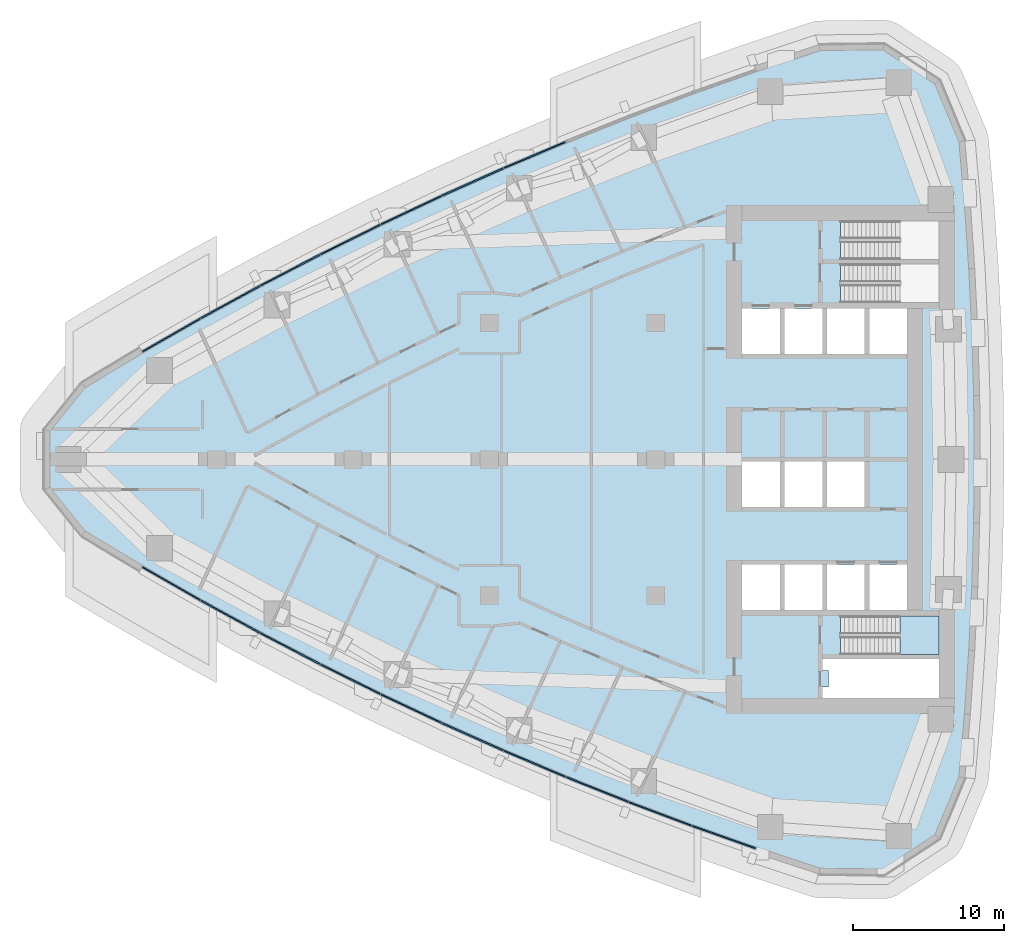
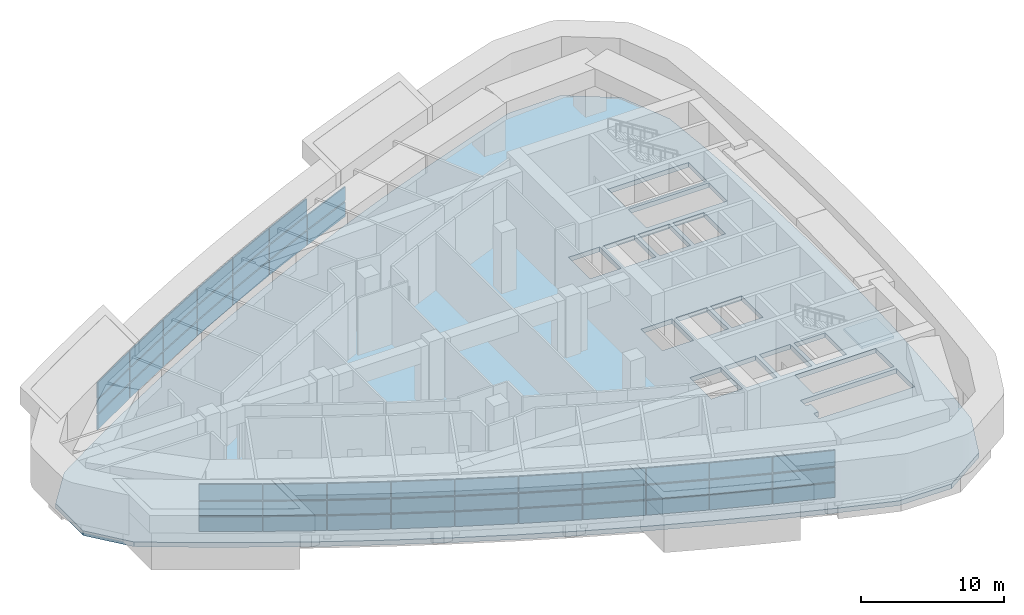
# One storey, part 9 of 19: 50 plates, 2 slabs, 1 opening, 10 elements without a shape of their own.
"""IFC4 building model written with IfcOpenShell, lengths in metres."""

from ifc_helpers import new_model, si_unit, direction, frame, origin, origin_2d, place, context, subcontext, project, spatial, polyline, rectangle, outline, extrude, material, layer, layer_set, type_object, element, aggregate, save


model = new_model("IFC4")

# Units and contexts
model_context = context("Model", 3, precision=1e-05, world=origin(), true_north=direction((0.0, 1.0)))
body_context = subcontext(model_context, "Body", "Model", "MODEL_VIEW")
ifc_project = project(units=[si_unit("LENGTHUNIT", "METRE"), si_unit("AREAUNIT", "SQUARE_METRE"), si_unit("VOLUMEUNIT", "CUBIC_METRE"), si_unit("PLANEANGLEUNIT", "RADIAN"), si_unit("MASSUNIT", "GRAM", prefix="KILO")], contexts=[model_context])

# Site, building, storey
site_placement = place(None, origin())
site = spatial("IfcSite", under=ifc_project, at=site_placement, CompositionType="ELEMENT")
building_placement = place(site_placement, origin())
building = spatial("IfcBuilding", under=site, at=building_placement, Name="Ostrand Prow Hotel Tower", CompositionType="ELEMENT")
storey_placement = place(building_placement, frame((0.0, 0.0, 120.39990234375)))
storey = spatial("IfcBuildingStorey", under=building, at=storey_placement, Name="L29", CompositionType="ELEMENT", Elevation=120.39990234375)

# Curtain wall, plates
ifc_material_1 = material(Name="Insulated glass in bronze anodised frame", Category="glass")
ifc_layer_1 = layer(ifc_material_1, 0.199951171875)
ifc_layer_set_1 = layer_set([ifc_layer_1], Name="Insulated glass in bronze anodised frame")
curtain_wall_type = type_object("IfcCurtainWallType", Name="Plant storey louvre wall", PredefinedType="NOTDEFINED", material=ifc_layer_set_1)
curtain_wall_1_placement = place(storey_placement, origin())
curtain_wall_1 = element("IfcCurtainWall", 1, at=curtain_wall_1_placement, inside=storey, type_object=curtain_wall_type, Name="CW7 run CWS1", PredefinedType="NOTDEFINED")
ifc_material_2 = material(Name="Bronze anodised aluminium louvre", Category="aluminium")
ifc_layer_2 = layer(ifc_material_2, 0.10009765625)
ifc_layer_set_2 = layer_set([ifc_layer_2], Name="Bronze anodised aluminium louvre")
plate_type = type_object("IfcPlateType", Name="Bronze louvre panel 100 mm", PredefinedType="CURTAIN_PANEL", material=ifc_layer_set_2)
plate_1_placement = place(storey_placement, frame((13.013916015625, -8.2099609375, 0.89990234375), z_axis=(0.0, 0.0, 1.0), x_axis=(0.867684775301, -0.497114806368, 0.0)))
plate_1 = element("IfcPlate", 2, at=plate_1_placement, type_object=plate_type, Name="CW7 PN-V panel 1.1", PredefinedType="CURTAIN_PANEL", context=body_context, shape_type="SweptSolid", body=[
    extrude(rectangle(XDim=4.406005859375, YDim=0.10009765625, at=origin_2d()), origin(), (0.0, 0.0, 1.0), 1.239990234375),
])
plate_2_placement = place(storey_placement, frame((13.013916015625, -8.2099609375, 2.26025390625), z_axis=(0.0, 0.0, 1.0), x_axis=(0.867684775301, -0.497114806368, 0.0)))
plate_2 = element("IfcPlate", 3, at=plate_2_placement, type_object=plate_type, Name="CW7 PN-V panel 1.2", PredefinedType="CURTAIN_PANEL", context=body_context, shape_type="SweptSolid", body=[
    extrude(rectangle(XDim=4.406005859375, YDim=0.10009765625, at=origin_2d()), origin(), (0.0, 0.0, 1.0), 1.179931640625),
])
plate_3_placement = place(storey_placement, frame((13.013916015625, -8.2099609375, 3.56005859375), z_axis=(0.0, 0.0, 1.0), x_axis=(0.867684775301, -0.497114806368, 0.0)))
plate_3 = element("IfcPlate", 4, at=plate_3_placement, type_object=plate_type, Name="CW7 PN-V panel 1.3", PredefinedType="CURTAIN_PANEL", context=body_context, shape_type="SweptSolid", body=[
    extrude(rectangle(XDim=4.406005859375, YDim=0.10009765625, at=origin_2d()), origin(), (0.0, 0.0, 1.0), 1.340087890625),
])
plate_4_placement = place(storey_placement, frame((16.910888671875, -10.39111328125, 0.89990234375), z_axis=(0.0, 0.0, 1.0), x_axis=(0.877466978439, -0.479637052103, 0.0)))
plate_4 = element("IfcPlate", 5, at=plate_4_placement, type_object=plate_type, Name="CW7 PN-V panel 2.1", PredefinedType="CURTAIN_PANEL", context=body_context, shape_type="SweptSolid", body=[
    extrude(rectangle(XDim=4.406005859375, YDim=0.10009765625, at=origin_2d()), origin(), (0.0, 0.0, 1.0), 1.239990234375),
])
plate_5_placement = place(storey_placement, frame((16.910888671875, -10.39111328125, 2.26025390625), z_axis=(0.0, 0.0, 1.0), x_axis=(0.877466978439, -0.479637052103, 0.0)))
plate_5 = element("IfcPlate", 6, at=plate_5_placement, type_object=plate_type, Name="CW7 PN-V panel 2.2", PredefinedType="CURTAIN_PANEL", context=body_context, shape_type="SweptSolid", body=[
    extrude(rectangle(XDim=4.406005859375, YDim=0.10009765625, at=origin_2d()), origin(), (0.0, 0.0, 1.0), 1.179931640625),
])
plate_6_placement = place(storey_placement, frame((16.910888671875, -10.39111328125, 3.56005859375), z_axis=(0.0, 0.0, 1.0), x_axis=(0.877466978439, -0.479637052103, 0.0)))
plate_6 = element("IfcPlate", 7, at=plate_6_placement, type_object=plate_type, Name="CW7 PN-V panel 2.3", PredefinedType="CURTAIN_PANEL", context=body_context, shape_type="SweptSolid", body=[
    extrude(rectangle(XDim=4.406005859375, YDim=0.10009765625, at=origin_2d()), origin(), (0.0, 0.0, 1.0), 1.340087890625),
])
aggregate(curtain_wall_1, [plate_1, plate_2, plate_3, plate_4, plate_5, plate_6])

curtain_wall_2_placement = place(storey_placement, origin())
curtain_wall_2 = element("IfcCurtainWall", 8, at=curtain_wall_2_placement, inside=storey, type_object=curtain_wall_type, Name="CW7 run CWS2", PredefinedType="NOTDEFINED")
plate_7_placement = place(storey_placement, frame((20.8505859375, -12.49365234375, 0.89990234375), z_axis=(0.0, 0.0, 1.0), x_axis=(0.886896367661, -0.461968432937, 0.0)))
plate_7 = element("IfcPlate", 9, at=plate_7_placement, type_object=plate_type, Name="CW7 PN-V panel 1.1", PredefinedType="CURTAIN_PANEL", context=body_context, shape_type="SweptSolid", body=[
    extrude(rectangle(XDim=4.406005859375, YDim=0.10009765625, at=origin_2d()), origin(), (0.0, 0.0, 1.0), 1.239990234375),
])
plate_8_placement = place(storey_placement, frame((20.8505859375, -12.49365234375, 2.26025390625), z_axis=(0.0, 0.0, 1.0), x_axis=(0.886896367661, -0.461968432937, 0.0)))
plate_8 = element("IfcPlate", 10, at=plate_8_placement, type_object=plate_type, Name="CW7 PN-V panel 1.2", PredefinedType="CURTAIN_PANEL", context=body_context, shape_type="SweptSolid", body=[
    extrude(rectangle(XDim=4.406005859375, YDim=0.10009765625, at=origin_2d()), origin(), (0.0, 0.0, 1.0), 1.179931640625),
])
plate_9_placement = place(storey_placement, frame((20.8505859375, -12.49365234375, 3.56005859375), z_axis=(0.0, 0.0, 1.0), x_axis=(0.886896367661, -0.461968432937, 0.0)))
plate_9 = element("IfcPlate", 11, at=plate_9_placement, type_object=plate_type, Name="CW7 PN-V panel 1.3", PredefinedType="CURTAIN_PANEL", context=body_context, shape_type="SweptSolid", body=[
    extrude(rectangle(XDim=4.406005859375, YDim=0.10009765625, at=origin_2d()), origin(), (0.0, 0.0, 1.0), 1.340087890625),
])
plate_10_placement = place(storey_placement, frame((24.831787109375, -14.516845703125, 0.89990234375), z_axis=(0.0, 0.0, 1.0), x_axis=(0.895970803653, -0.44411295748, 0.0)))
plate_10 = element("IfcPlate", 12, at=plate_10_placement, type_object=plate_type, Name="CW7 PN-V panel 2.1", PredefinedType="CURTAIN_PANEL", context=body_context, shape_type="SweptSolid", body=[
    extrude(rectangle(XDim=4.406005859375, YDim=0.10009765625, at=origin_2d()), origin(), (0.0, 0.0, 1.0), 1.239990234375),
])
plate_11_placement = place(storey_placement, frame((24.831787109375, -14.516845703125, 2.26025390625), z_axis=(0.0, 0.0, 1.0), x_axis=(0.895970803653, -0.44411295748, 0.0)))
plate_11 = element("IfcPlate", 13, at=plate_11_placement, type_object=plate_type, Name="CW7 PN-V panel 2.2", PredefinedType="CURTAIN_PANEL", context=body_context, shape_type="SweptSolid", body=[
    extrude(rectangle(XDim=4.406005859375, YDim=0.10009765625, at=origin_2d()), origin(), (0.0, 0.0, 1.0), 1.179931640625),
])
plate_12_placement = place(storey_placement, frame((24.831787109375, -14.516845703125, 3.56005859375), z_axis=(0.0, 0.0, 1.0), x_axis=(0.895970803653, -0.44411295748, 0.0)))
plate_12 = element("IfcPlate", 14, at=plate_12_placement, type_object=plate_type, Name="CW7 PN-V panel 2.3", PredefinedType="CURTAIN_PANEL", context=body_context, shape_type="SweptSolid", body=[
    extrude(rectangle(XDim=4.406005859375, YDim=0.10009765625, at=origin_2d()), origin(), (0.0, 0.0, 1.0), 1.340087890625),
])
aggregate(curtain_wall_2, [plate_7, plate_8, plate_9, plate_10, plate_11, plate_12])

curtain_wall_3_placement = place(storey_placement, origin())
curtain_wall_3 = element("IfcCurtainWall", 15, at=curtain_wall_3_placement, inside=storey, type_object=curtain_wall_type, Name="CW7 run CWS3", PredefinedType="NOTDEFINED")
plate_13_placement = place(storey_placement, frame((28.852783203125, -16.4599609375, 0.89990234375), z_axis=(0.0, 0.0, 1.0), x_axis=(0.904685808958, -0.426079320162, 0.0)))
plate_13 = element("IfcPlate", 16, at=plate_13_placement, type_object=plate_type, Name="CW7 PN-V panel 1.1", PredefinedType="CURTAIN_PANEL", context=body_context, shape_type="SweptSolid", body=[
    extrude(rectangle(XDim=4.406005859375, YDim=0.10009765625, at=origin_2d()), origin(), (0.0, 0.0, 1.0), 1.239990234375),
])
plate_14_placement = place(storey_placement, frame((28.852783203125, -16.4599609375, 2.26025390625), z_axis=(0.0, 0.0, 1.0), x_axis=(0.904685808958, -0.426079320162, 0.0)))
plate_14 = element("IfcPlate", 17, at=plate_14_placement, type_object=plate_type, Name="CW7 PN-V panel 1.2", PredefinedType="CURTAIN_PANEL", context=body_context, shape_type="SweptSolid", body=[
    extrude(rectangle(XDim=4.406005859375, YDim=0.10009765625, at=origin_2d()), origin(), (0.0, 0.0, 1.0), 1.179931640625),
])
plate_15_placement = place(storey_placement, frame((28.852783203125, -16.4599609375, 3.56005859375), z_axis=(0.0, 0.0, 1.0), x_axis=(0.904685808958, -0.426079320162, 0.0)))
plate_15 = element("IfcPlate", 18, at=plate_15_placement, type_object=plate_type, Name="CW7 PN-V panel 1.3", PredefinedType="CURTAIN_PANEL", context=body_context, shape_type="SweptSolid", body=[
    extrude(rectangle(XDim=4.406005859375, YDim=0.10009765625, at=origin_2d()), origin(), (0.0, 0.0, 1.0), 1.340087890625),
])
plate_16_placement = place(storey_placement, frame((32.911865234375, -18.322265625, 0.89990234375), z_axis=(0.0, 0.0, 1.0), x_axis=(0.913037887435, -0.407874755419, 0.0)))
plate_16 = element("IfcPlate", 19, at=plate_16_placement, type_object=plate_type, Name="CW7 PN-V panel 2.1", PredefinedType="CURTAIN_PANEL", context=body_context, shape_type="SweptSolid", body=[
    extrude(rectangle(XDim=4.406005859375, YDim=0.10009765625, at=origin_2d()), origin(), (0.0, 0.0, 1.0), 1.239990234375),
])
plate_17_placement = place(storey_placement, frame((32.911865234375, -18.322265625, 2.26025390625), z_axis=(0.0, 0.0, 1.0), x_axis=(0.913037887435, -0.407874755419, 0.0)))
plate_17 = element("IfcPlate", 20, at=plate_17_placement, type_object=plate_type, Name="CW7 PN-V panel 2.2", PredefinedType="CURTAIN_PANEL", context=body_context, shape_type="SweptSolid", body=[
    extrude(rectangle(XDim=4.406005859375, YDim=0.10009765625, at=origin_2d()), origin(), (0.0, 0.0, 1.0), 1.179931640625),
])
plate_18_placement = place(storey_placement, frame((32.911865234375, -18.322265625, 3.56005859375), z_axis=(0.0, 0.0, 1.0), x_axis=(0.913037887435, -0.407874755419, 0.0)))
plate_18 = element("IfcPlate", 21, at=plate_18_placement, type_object=plate_type, Name="CW7 PN-V panel 2.3", PredefinedType="CURTAIN_PANEL", context=body_context, shape_type="SweptSolid", body=[
    extrude(rectangle(XDim=4.406005859375, YDim=0.10009765625, at=origin_2d()), origin(), (0.0, 0.0, 1.0), 1.340087890625),
])
aggregate(curtain_wall_3, [plate_13, plate_14, plate_15, plate_16, plate_17, plate_18])

curtain_wall_4_placement = place(storey_placement, origin())
curtain_wall_4 = element("IfcCurtainWall", 22, at=curtain_wall_4_placement, inside=storey, type_object=curtain_wall_type, Name="CW7 run CWS4", PredefinedType="NOTDEFINED")
plate_19_placement = place(storey_placement, frame((37.007080078125, -20.102783203125, 0.89990234375), z_axis=(0.0, 0.0, 1.0), x_axis=(0.921023688536, -0.389506566255, 0.0)))
plate_19 = element("IfcPlate", 23, at=plate_19_placement, type_object=plate_type, Name="CW7 PN-V panel 1.1", PredefinedType="CURTAIN_PANEL", context=body_context, shape_type="SweptSolid", body=[
    extrude(rectangle(XDim=4.406005859375, YDim=0.10009765625, at=origin_2d()), origin(), (0.0, 0.0, 1.0), 1.239990234375),
])
plate_20_placement = place(storey_placement, frame((37.007080078125, -20.102783203125, 2.26025390625), z_axis=(0.0, 0.0, 1.0), x_axis=(0.921023688536, -0.389506566255, 0.0)))
plate_20 = element("IfcPlate", 24, at=plate_20_placement, type_object=plate_type, Name="CW7 PN-V panel 1.2", PredefinedType="CURTAIN_PANEL", context=body_context, shape_type="SweptSolid", body=[
    extrude(rectangle(XDim=4.406005859375, YDim=0.10009765625, at=origin_2d()), origin(), (0.0, 0.0, 1.0), 1.179931640625),
])
plate_21_placement = place(storey_placement, frame((37.007080078125, -20.102783203125, 3.56005859375), z_axis=(0.0, 0.0, 1.0), x_axis=(0.921023688536, -0.389506566255, 0.0)))
plate_21 = element("IfcPlate", 25, at=plate_21_placement, type_object=plate_type, Name="CW7 PN-V panel 1.3", PredefinedType="CURTAIN_PANEL", context=body_context, shape_type="SweptSolid", body=[
    extrude(rectangle(XDim=4.406005859375, YDim=0.10009765625, at=origin_2d()), origin(), (0.0, 0.0, 1.0), 1.340087890625),
])
plate_22_placement = place(storey_placement, frame((41.137451171875, -21.801025390625, 0.89990234375), z_axis=(0.0, 0.0, 1.0), x_axis=(0.928640008649, -0.370982121315, 0.0)))
plate_22 = element("IfcPlate", 26, at=plate_22_placement, type_object=plate_type, Name="CW7 PN-V panel 2.1", PredefinedType="CURTAIN_PANEL", context=body_context, shape_type="SweptSolid", body=[
    extrude(rectangle(XDim=4.406005859375, YDim=0.10009765625, at=origin_2d()), origin(), (0.0, 0.0, 1.0), 1.239990234375),
])
plate_23_placement = place(storey_placement, frame((41.137451171875, -21.801025390625, 2.26025390625), z_axis=(0.0, 0.0, 1.0), x_axis=(0.928640008649, -0.370982121315, 0.0)))
plate_23 = element("IfcPlate", 27, at=plate_23_placement, type_object=plate_type, Name="CW7 PN-V panel 2.2", PredefinedType="CURTAIN_PANEL", context=body_context, shape_type="SweptSolid", body=[
    extrude(rectangle(XDim=4.406005859375, YDim=0.10009765625, at=origin_2d()), origin(), (0.0, 0.0, 1.0), 1.179931640625),
])
plate_24_placement = place(storey_placement, frame((41.137451171875, -21.801025390625, 3.56005859375), z_axis=(0.0, 0.0, 1.0), x_axis=(0.928640008649, -0.370982121315, 0.0)))
plate_24 = element("IfcPlate", 28, at=plate_24_placement, type_object=plate_type, Name="CW7 PN-V panel 2.3", PredefinedType="CURTAIN_PANEL", context=body_context, shape_type="SweptSolid", body=[
    extrude(rectangle(XDim=4.406005859375, YDim=0.10009765625, at=origin_2d()), origin(), (0.0, 0.0, 1.0), 1.340087890625),
])
aggregate(curtain_wall_4, [plate_19, plate_20, plate_21, plate_22, plate_23, plate_24])

curtain_wall_5_placement = place(storey_placement, origin())
curtain_wall_5 = element("IfcCurtainWall", 29, at=curtain_wall_5_placement, inside=storey, type_object=curtain_wall_type, Name="CW7 run CWS5", PredefinedType="NOTDEFINED")
plate_25_placement = place(storey_placement, frame((45.301025390625, -23.416015625, 0.89990234375), z_axis=(0.0, 0.0, 1.0), x_axis=(0.935883792387, -0.35230885193, 0.0)))
plate_25 = element("IfcPlate", 30, at=plate_25_placement, type_object=plate_type, Name="CW7 PN-V panel 1.1", PredefinedType="CURTAIN_PANEL", context=body_context, shape_type="SweptSolid", body=[
    extrude(rectangle(XDim=4.406005859375, YDim=0.10009765625, at=origin_2d()), origin(), (0.0, 0.0, 1.0), 1.239990234375),
])
plate_26_placement = place(storey_placement, frame((45.301025390625, -23.416015625, 2.26025390625), z_axis=(0.0, 0.0, 1.0), x_axis=(0.935883792387, -0.35230885193, 0.0)))
plate_26 = element("IfcPlate", 31, at=plate_26_placement, type_object=plate_type, Name="CW7 PN-V panel 1.2", PredefinedType="CURTAIN_PANEL", context=body_context, shape_type="SweptSolid", body=[
    extrude(rectangle(XDim=4.406005859375, YDim=0.10009765625, at=origin_2d()), origin(), (0.0, 0.0, 1.0), 1.179931640625),
])
plate_27_placement = place(storey_placement, frame((45.301025390625, -23.416015625, 3.56005859375), z_axis=(0.0, 0.0, 1.0), x_axis=(0.935883792387, -0.35230885193, 0.0)))
plate_27 = element("IfcPlate", 32, at=plate_27_placement, type_object=plate_type, Name="CW7 PN-V panel 1.3", PredefinedType="CURTAIN_PANEL", context=body_context, shape_type="SweptSolid", body=[
    extrude(rectangle(XDim=4.406005859375, YDim=0.10009765625, at=origin_2d()), origin(), (0.0, 0.0, 1.0), 1.340087890625),
])
plate_28_placement = place(storey_placement, frame((49.49609375, -24.947509765625, 0.89990234375), z_axis=(0.0, 0.0, 1.0), x_axis=(0.942751551748, -0.333495894542, 0.0)))
plate_28 = element("IfcPlate", 33, at=plate_28_placement, type_object=plate_type, Name="CW7 PN-V panel 2.1", PredefinedType="CURTAIN_PANEL", context=body_context, shape_type="SweptSolid", body=[
    extrude(rectangle(XDim=4.406005859375, YDim=0.10009765625, at=origin_2d()), origin(), (0.0, 0.0, 1.0), 1.239990234375),
])
plate_29_placement = place(storey_placement, frame((49.49609375, -24.947509765625, 2.26025390625), z_axis=(0.0, 0.0, 1.0), x_axis=(0.942751551748, -0.333495894542, 0.0)))
plate_29 = element("IfcPlate", 34, at=plate_29_placement, type_object=plate_type, Name="CW7 PN-V panel 2.2", PredefinedType="CURTAIN_PANEL", context=body_context, shape_type="SweptSolid", body=[
    extrude(rectangle(XDim=4.406005859375, YDim=0.10009765625, at=origin_2d()), origin(), (0.0, 0.0, 1.0), 1.179931640625),
])
plate_30_placement = place(storey_placement, frame((49.49609375, -24.947509765625, 3.56005859375), z_axis=(0.0, 0.0, 1.0), x_axis=(0.942751551748, -0.333495894542, 0.0)))
plate_30 = element("IfcPlate", 35, at=plate_30_placement, type_object=plate_type, Name="CW7 PN-V panel 2.3", PredefinedType="CURTAIN_PANEL", context=body_context, shape_type="SweptSolid", body=[
    extrude(rectangle(XDim=4.406005859375, YDim=0.10009765625, at=origin_2d()), origin(), (0.0, 0.0, 1.0), 1.340087890625),
])
aggregate(curtain_wall_5, [plate_25, plate_26, plate_27, plate_28, plate_29, plate_30])

curtain_wall_6_placement = place(storey_placement, origin())
curtain_wall_6 = element("IfcCurtainWall", 36, at=curtain_wall_6_placement, inside=storey, type_object=curtain_wall_type, Name="CW7 run CWN2", PredefinedType="NOTDEFINED")
plate_31_placement = place(storey_placement, frame((37.007080078125, 20.102783203125, 0.89990234375), z_axis=(0.0, 0.0, 1.0), x_axis=(-0.921023688536, -0.389506566255, 0.0)))
plate_31 = element("IfcPlate", 37, at=plate_31_placement, type_object=plate_type, Name="CW7 PN-V panel 2.1", PredefinedType="CURTAIN_PANEL", context=body_context, shape_type="SweptSolid", body=[
    extrude(rectangle(XDim=4.406005859375, YDim=0.10009765625, at=origin_2d()), origin(), (0.0, 0.0, 1.0), 1.239990234375),
])
plate_32_placement = place(storey_placement, frame((37.007080078125, 20.102783203125, 2.26025390625), z_axis=(0.0, 0.0, 1.0), x_axis=(-0.921023688536, -0.389506566255, 0.0)))
plate_32 = element("IfcPlate", 38, at=plate_32_placement, type_object=plate_type, Name="CW7 PN-V panel 2.2", PredefinedType="CURTAIN_PANEL", context=body_context, shape_type="SweptSolid", body=[
    extrude(rectangle(XDim=4.406005859375, YDim=0.10009765625, at=origin_2d()), origin(), (0.0, 0.0, 1.0), 1.179931640625),
])
aggregate(curtain_wall_6, [plate_31, plate_32])

curtain_wall_7_placement = place(storey_placement, origin())
curtain_wall_7 = element("IfcCurtainWall", 39, at=curtain_wall_7_placement, inside=storey, type_object=curtain_wall_type, Name="CW7 run CWN3", PredefinedType="NOTDEFINED")
plate_33_placement = place(storey_placement, frame((32.911865234375, 18.322265625, 0.89990234375), z_axis=(0.0, 0.0, 1.0), x_axis=(-0.913037887435, -0.407874755419, 0.0)))
plate_33 = element("IfcPlate", 40, at=plate_33_placement, type_object=plate_type, Name="CW7 PN-V panel 1.1", PredefinedType="CURTAIN_PANEL", context=body_context, shape_type="SweptSolid", body=[
    extrude(rectangle(XDim=4.406005859375, YDim=0.10009765625, at=origin_2d()), origin(), (0.0, 0.0, 1.0), 1.239990234375),
])
plate_34_placement = place(storey_placement, frame((32.911865234375, 18.322265625, 2.26025390625), z_axis=(0.0, 0.0, 1.0), x_axis=(-0.913037887435, -0.407874755419, 0.0)))
plate_34 = element("IfcPlate", 41, at=plate_34_placement, type_object=plate_type, Name="CW7 PN-V panel 1.2", PredefinedType="CURTAIN_PANEL", context=body_context, shape_type="SweptSolid", body=[
    extrude(rectangle(XDim=4.406005859375, YDim=0.10009765625, at=origin_2d()), origin(), (0.0, 0.0, 1.0), 1.179931640625),
])
plate_35_placement = place(storey_placement, frame((32.911865234375, 18.322265625, 3.56005859375), z_axis=(0.0, 0.0, 1.0), x_axis=(-0.913037887435, -0.407874755419, 0.0)))
plate_35 = element("IfcPlate", 42, at=plate_35_placement, type_object=plate_type, Name="CW7 PN-V panel 1.3", PredefinedType="CURTAIN_PANEL", context=body_context, shape_type="SweptSolid", body=[
    extrude(rectangle(XDim=4.406005859375, YDim=0.10009765625, at=origin_2d()), origin(), (0.0, 0.0, 1.0), 1.340087890625),
])
plate_36_placement = place(storey_placement, frame((28.852783203125, 16.4599609375, 0.89990234375), z_axis=(0.0, 0.0, 1.0), x_axis=(-0.904685808958, -0.426079320162, 0.0)))
plate_36 = element("IfcPlate", 43, at=plate_36_placement, type_object=plate_type, Name="CW7 PN-V panel 2.1", PredefinedType="CURTAIN_PANEL", context=body_context, shape_type="SweptSolid", body=[
    extrude(rectangle(XDim=4.406005859375, YDim=0.10009765625, at=origin_2d()), origin(), (0.0, 0.0, 1.0), 1.239990234375),
])
plate_37_placement = place(storey_placement, frame((28.852783203125, 16.4599609375, 2.26025390625), z_axis=(0.0, 0.0, 1.0), x_axis=(-0.904685808958, -0.426079320162, 0.0)))
plate_37 = element("IfcPlate", 44, at=plate_37_placement, type_object=plate_type, Name="CW7 PN-V panel 2.2", PredefinedType="CURTAIN_PANEL", context=body_context, shape_type="SweptSolid", body=[
    extrude(rectangle(XDim=4.406005859375, YDim=0.10009765625, at=origin_2d()), origin(), (0.0, 0.0, 1.0), 1.179931640625),
])
plate_38_placement = place(storey_placement, frame((28.852783203125, 16.4599609375, 3.56005859375), z_axis=(0.0, 0.0, 1.0), x_axis=(-0.904685808958, -0.426079320162, 0.0)))
plate_38 = element("IfcPlate", 45, at=plate_38_placement, type_object=plate_type, Name="CW7 PN-V panel 2.3", PredefinedType="CURTAIN_PANEL", context=body_context, shape_type="SweptSolid", body=[
    extrude(rectangle(XDim=4.406005859375, YDim=0.10009765625, at=origin_2d()), origin(), (0.0, 0.0, 1.0), 1.340087890625),
])
aggregate(curtain_wall_7, [plate_33, plate_34, plate_35, plate_36, plate_37, plate_38])

curtain_wall_8_placement = place(storey_placement, origin())
curtain_wall_8 = element("IfcCurtainWall", 46, at=curtain_wall_8_placement, inside=storey, type_object=curtain_wall_type, Name="CW7 run CWN4", PredefinedType="NOTDEFINED")
plate_39_placement = place(storey_placement, frame((24.831787109375, 14.516845703125, 0.89990234375), z_axis=(0.0, 0.0, 1.0), x_axis=(-0.895970803653, -0.44411295748, 0.0)))
plate_39 = element("IfcPlate", 47, at=plate_39_placement, type_object=plate_type, Name="CW7 PN-V panel 1.1", PredefinedType="CURTAIN_PANEL", context=body_context, shape_type="SweptSolid", body=[
    extrude(rectangle(XDim=4.406005859375, YDim=0.10009765625, at=origin_2d()), origin(), (0.0, 0.0, 1.0), 1.239990234375),
])
plate_40_placement = place(storey_placement, frame((24.831787109375, 14.516845703125, 2.26025390625), z_axis=(0.0, 0.0, 1.0), x_axis=(-0.895970803653, -0.44411295748, 0.0)))
plate_40 = element("IfcPlate", 48, at=plate_40_placement, type_object=plate_type, Name="CW7 PN-V panel 1.2", PredefinedType="CURTAIN_PANEL", context=body_context, shape_type="SweptSolid", body=[
    extrude(rectangle(XDim=4.406005859375, YDim=0.10009765625, at=origin_2d()), origin(), (0.0, 0.0, 1.0), 1.179931640625),
])
plate_41_placement = place(storey_placement, frame((24.831787109375, 14.516845703125, 3.56005859375), z_axis=(0.0, 0.0, 1.0), x_axis=(-0.895970803653, -0.44411295748, 0.0)))
plate_41 = element("IfcPlate", 49, at=plate_41_placement, type_object=plate_type, Name="CW7 PN-V panel 1.3", PredefinedType="CURTAIN_PANEL", context=body_context, shape_type="SweptSolid", body=[
    extrude(rectangle(XDim=4.406005859375, YDim=0.10009765625, at=origin_2d()), origin(), (0.0, 0.0, 1.0), 1.340087890625),
])
plate_42_placement = place(storey_placement, frame((20.8505859375, 12.49365234375, 0.89990234375), z_axis=(0.0, 0.0, 1.0), x_axis=(-0.886896367661, -0.461968432937, 0.0)))
plate_42 = element("IfcPlate", 50, at=plate_42_placement, type_object=plate_type, Name="CW7 PN-V panel 2.1", PredefinedType="CURTAIN_PANEL", context=body_context, shape_type="SweptSolid", body=[
    extrude(rectangle(XDim=4.406005859375, YDim=0.10009765625, at=origin_2d()), origin(), (0.0, 0.0, 1.0), 1.239990234375),
])
plate_43_placement = place(storey_placement, frame((20.8505859375, 12.49365234375, 2.26025390625), z_axis=(0.0, 0.0, 1.0), x_axis=(-0.886896367661, -0.461968432937, 0.0)))
plate_43 = element("IfcPlate", 51, at=plate_43_placement, type_object=plate_type, Name="CW7 PN-V panel 2.2", PredefinedType="CURTAIN_PANEL", context=body_context, shape_type="SweptSolid", body=[
    extrude(rectangle(XDim=4.406005859375, YDim=0.10009765625, at=origin_2d()), origin(), (0.0, 0.0, 1.0), 1.179931640625),
])
plate_44_placement = place(storey_placement, frame((20.8505859375, 12.49365234375, 3.56005859375), z_axis=(0.0, 0.0, 1.0), x_axis=(-0.886896367661, -0.461968432937, 0.0)))
plate_44 = element("IfcPlate", 52, at=plate_44_placement, type_object=plate_type, Name="CW7 PN-V panel 2.3", PredefinedType="CURTAIN_PANEL", context=body_context, shape_type="SweptSolid", body=[
    extrude(rectangle(XDim=4.406005859375, YDim=0.10009765625, at=origin_2d()), origin(), (0.0, 0.0, 1.0), 1.340087890625),
])
aggregate(curtain_wall_8, [plate_39, plate_40, plate_41, plate_42, plate_43, plate_44])

curtain_wall_9_placement = place(storey_placement, origin())
curtain_wall_9 = element("IfcCurtainWall", 53, at=curtain_wall_9_placement, inside=storey, type_object=curtain_wall_type, Name="CW7 run CWN5", PredefinedType="NOTDEFINED")
plate_45_placement = place(storey_placement, frame((16.910888671875, 10.39111328125, 0.89990234375), z_axis=(0.0, 0.0, 1.0), x_axis=(-0.877466978439, -0.479637052103, 0.0)))
plate_45 = element("IfcPlate", 54, at=plate_45_placement, type_object=plate_type, Name="CW7 PN-V panel 1.1", PredefinedType="CURTAIN_PANEL", context=body_context, shape_type="SweptSolid", body=[
    extrude(rectangle(XDim=4.406005859375, YDim=0.10009765625, at=origin_2d()), origin(), (0.0, 0.0, 1.0), 1.239990234375),
])
plate_46_placement = place(storey_placement, frame((16.910888671875, 10.39111328125, 2.26025390625), z_axis=(0.0, 0.0, 1.0), x_axis=(-0.877466978439, -0.479637052103, 0.0)))
plate_46 = element("IfcPlate", 55, at=plate_46_placement, type_object=plate_type, Name="CW7 PN-V panel 1.2", PredefinedType="CURTAIN_PANEL", context=body_context, shape_type="SweptSolid", body=[
    extrude(rectangle(XDim=4.406005859375, YDim=0.10009765625, at=origin_2d()), origin(), (0.0, 0.0, 1.0), 1.179931640625),
])
plate_47_placement = place(storey_placement, frame((16.910888671875, 10.39111328125, 3.56005859375), z_axis=(0.0, 0.0, 1.0), x_axis=(-0.877466978439, -0.479637052103, 0.0)))
plate_47 = element("IfcPlate", 56, at=plate_47_placement, type_object=plate_type, Name="CW7 PN-V panel 1.3", PredefinedType="CURTAIN_PANEL", context=body_context, shape_type="SweptSolid", body=[
    extrude(rectangle(XDim=4.406005859375, YDim=0.10009765625, at=origin_2d()), origin(), (0.0, 0.0, 1.0), 1.340087890625),
])
plate_48_placement = place(storey_placement, frame((13.013916015625, 8.2099609375, 0.89990234375), z_axis=(0.0, 0.0, 1.0), x_axis=(-0.867684775301, -0.497114806368, 0.0)))
plate_48 = element("IfcPlate", 57, at=plate_48_placement, type_object=plate_type, Name="CW7 PN-V panel 2.1", PredefinedType="CURTAIN_PANEL", context=body_context, shape_type="SweptSolid", body=[
    extrude(rectangle(XDim=4.406005859375, YDim=0.10009765625, at=origin_2d()), origin(), (0.0, 0.0, 1.0), 1.239990234375),
])
plate_49_placement = place(storey_placement, frame((13.013916015625, 8.2099609375, 2.26025390625), z_axis=(0.0, 0.0, 1.0), x_axis=(-0.867684775301, -0.497114806368, 0.0)))
plate_49 = element("IfcPlate", 58, at=plate_49_placement, type_object=plate_type, Name="CW7 PN-V panel 2.2", PredefinedType="CURTAIN_PANEL", context=body_context, shape_type="SweptSolid", body=[
    extrude(rectangle(XDim=4.406005859375, YDim=0.10009765625, at=origin_2d()), origin(), (0.0, 0.0, 1.0), 1.179931640625),
])
plate_50_placement = place(storey_placement, frame((13.013916015625, 8.2099609375, 3.56005859375), z_axis=(0.0, 0.0, 1.0), x_axis=(-0.867684775301, -0.497114806368, 0.0)))
plate_50 = element("IfcPlate", 59, at=plate_50_placement, type_object=plate_type, Name="CW7 PN-V panel 2.3", PredefinedType="CURTAIN_PANEL", context=body_context, shape_type="SweptSolid", body=[
    extrude(rectangle(XDim=4.406005859375, YDim=0.10009765625, at=origin_2d()), origin(), (0.0, 0.0, 1.0), 1.340087890625),
])
aggregate(curtain_wall_9, [plate_45, plate_46, plate_47, plate_48, plate_49, plate_50])

# Slab, opening
ifc_material_3 = material(Name="Concrete C40/50", Category="concrete")
ifc_layer_3 = layer(ifc_material_3, 0.39990234375)
ifc_layer_set_3 = layer_set([ifc_layer_3], Name="Concrete C40/50")
slab_type_1 = type_object("IfcSlabType", Name="PT flat plate 400 C40/50", PredefinedType="FLOOR", material=ifc_layer_set_3)
slab_1_placement = place(storey_placement, frame((0.0, 0.0, -0.39990234375)))
slab_1 = element("IfcSlab", 60, at=slab_1_placement, inside=storey, type_object=slab_type_1, Name="Floor slab L29-1", PredefinedType="FLOOR", context=body_context, shape_type="SweptSolid", body=[
    extrude(outline(polyline([(7.150390625, 4.879638671875), (11.01806640625, 7.19970703125), (14.89501953125, 9.4208984375), (18.81591796875, 11.56396484375), (22.77880859375, 13.628173828125), (26.7822265625, 15.61279296875), (30.82470703125, 17.5166015625), (34.904541015625, 19.339111328125), (39.02001953125, 21.07958984375), (43.16943359375, 22.7373046875), (47.351318359375, 24.311279296875), (51.563720703125, 25.801513671875), (55.839599609375, 27.218505859375), (60.05615234375, 27.271728515625), (63.6103515625, 24.932861328125), (65.2294921875, 21.039306640625), (65.598876953125, 16.81201171875), (65.883544921875, 12.614501953125), (66.087158203125, 8.412353515625), (66.209228515625, 4.206787109375), (66.25, 0.0), (66.209228515625, -4.206787109375), (66.087158203125, -8.412353515625), (65.883544921875, -12.614501953125), (65.598876953125, -16.81201171875), (65.2294921875, -21.039306640625), (63.6103515625, -24.932861328125), (60.05615234375, -27.271728515625), (55.839599609375, -27.218505859375), (51.563720703125, -25.801513671875), (47.351318359375, -24.311279296875), (43.16943359375, -22.7373046875), (39.02001953125, -21.07958984375), (34.904541015625, -19.339111328125), (30.82470703125, -17.5166015625), (26.7822265625, -15.61279296875), (22.77880859375, -13.628173828125), (18.81591796875, -11.56396484375), (14.89501953125, -9.4208984375), (11.01806640625, -7.19970703125), (7.150390625, -4.879638671875), (4.75830078125, -1.923583984375), (4.75830078125, 1.923583984375), (7.150390625, 4.879638671875)]), holes=[polyline([(50.699951171875, 6.949951171875), (53.199951171875, 6.949951171875), (53.199951171875, 9.949951171875), (50.699951171875, 9.949951171875), (50.699951171875, 6.949951171875)]), polyline([(53.5, 6.949951171875), (56.0, 6.949951171875), (56.0, 9.949951171875), (53.5, 9.949951171875), (53.5, 6.949951171875)]), polyline([(56.300048828125, 6.949951171875), (58.800048828125, 6.949951171875), (58.800048828125, 9.949951171875), (56.300048828125, 9.949951171875), (56.300048828125, 6.949951171875)]), polyline([(59.10009765625, 6.949951171875), (61.60009765625, 6.949951171875), (61.60009765625, 9.949951171875), (59.10009765625, 9.949951171875), (59.10009765625, 6.949951171875)]), polyline([(50.699951171875, -3.14990234375), (53.199951171875, -3.14990234375), (53.199951171875, -0.14990234375), (50.699951171875, -0.14990234375), (50.699951171875, -3.14990234375)]), polyline([(53.5, -3.14990234375), (56.0, -3.14990234375), (56.0, -0.14990234375), (53.5, -0.14990234375), (53.5, -3.14990234375)]), polyline([(56.300048828125, -3.14990234375), (58.800048828125, -3.14990234375), (58.800048828125, -0.14990234375), (56.300048828125, -0.14990234375), (56.300048828125, -3.14990234375)]), polyline([(50.699951171875, -9.949951171875), (53.199951171875, -9.949951171875), (53.199951171875, -6.949951171875), (50.699951171875, -6.949951171875), (50.699951171875, -9.949951171875)]), polyline([(53.5, -9.949951171875), (56.0, -9.949951171875), (56.0, -6.949951171875), (53.5, -6.949951171875), (53.5, -9.949951171875)]), polyline([(56.300048828125, -9.949951171875), (58.800048828125, -9.949951171875), (58.800048828125, -6.949951171875), (56.300048828125, -6.949951171875), (56.300048828125, -9.949951171875)]), polyline([(59.10009765625, -9.949951171875), (61.60009765625, -9.949951171875), (61.60009765625, -6.949951171875), (59.10009765625, -6.949951171875), (59.10009765625, -9.949951171875)]), polyline([(57.200927734375, 10.35107421875), (57.200927734375, 12.89892578125), (63.718994140625, 12.89892578125), (63.718994140625, 10.35107421875), (57.200927734375, 10.35107421875)]), polyline([(57.200927734375, 13.200927734375), (57.200927734375, 15.7490234375), (63.718994140625, 15.7490234375), (63.718994140625, 13.200927734375), (57.200927734375, 13.200927734375)]), polyline([(57.200927734375, -12.89892578125), (57.200927734375, -10.35107421875), (63.718994140625, -10.35107421875), (63.718994140625, -12.89892578125), (57.200927734375, -12.89892578125)]), polyline([(56.0, -13.199951171875), (63.719970703125, -13.199951171875), (63.719970703125, -15.75), (56.0, -15.75), (56.0, -15.050048828125), (56.39990234375, -15.050048828125), (56.39990234375, -13.949951171875), (56.0, -13.949951171875), (56.0, -13.199951171875)])]), origin(), (0.0, 0.0, 1.0), 0.39990234375),
])
opening_placement = place(slab_1_placement, origin())
element("IfcOpeningElement", 61, at=opening_placement, cuts=slab_1, Name="Shaft opening 1", PredefinedType="OPENING", context=body_context, shape_type="SweptSolid", body=[
    extrude(outline(polyline([(56.0, -13.199951171875), (63.719970703125, -13.199951171875), (63.719970703125, -15.75), (56.0, -15.75), (56.0, -15.050048828125), (56.39990234375, -15.050048828125), (56.39990234375, -13.949951171875), (56.0, -13.949951171875), (56.0, -13.199951171875)])), origin(), (0.0, 0.0, 1.0), 0.39990234375),
])

# Stair, slab
ifc_material_4 = material(Name="Concrete C40/50", Category="concrete")
stair_type = type_object("IfcStairType", Name="Exit stair 1200 upper zone", PredefinedType="HALF_TURN_STAIR", material=ifc_material_4)
stair_placement = place(storey_placement, origin())
stair = element("IfcStair", 62, at=stair_placement, inside=storey, type_object=stair_type, Name="L29 ST2C", PredefinedType="HALF_TURN_STAIR")
ifc_material_5 = material(Name="Concrete C40/50", Category="concrete")
ifc_layer_4 = layer(ifc_material_5, 0.199951171875)
ifc_layer_set_4 = layer_set([ifc_layer_4], Name="Concrete C40/50")
slab_type_2 = type_object("IfcSlabType", Name="Stair landing 200 concrete", PredefinedType="LANDING", material=ifc_layer_set_4)
slab_2_placement = place(storey_placement, frame((0.0, 0.0, 2.400146484375)))
slab_2 = element("IfcSlab", 63, at=slab_2_placement, type_object=slab_type_2, Name="ST2C landing 1", PredefinedType="LANDING", context=body_context, shape_type="SweptSolid", body=[
    extrude(outline(polyline([(61.1201171875, -12.89990234375), (63.719970703125, -12.89990234375), (63.719970703125, -10.35009765625), (61.1201171875, -10.35009765625), (61.1201171875, -12.89990234375)])), origin(), (0.0, 0.0, 1.0), 0.199951171875),
])
aggregate(stair, [slab_2])

save(model, "model.ifc")
